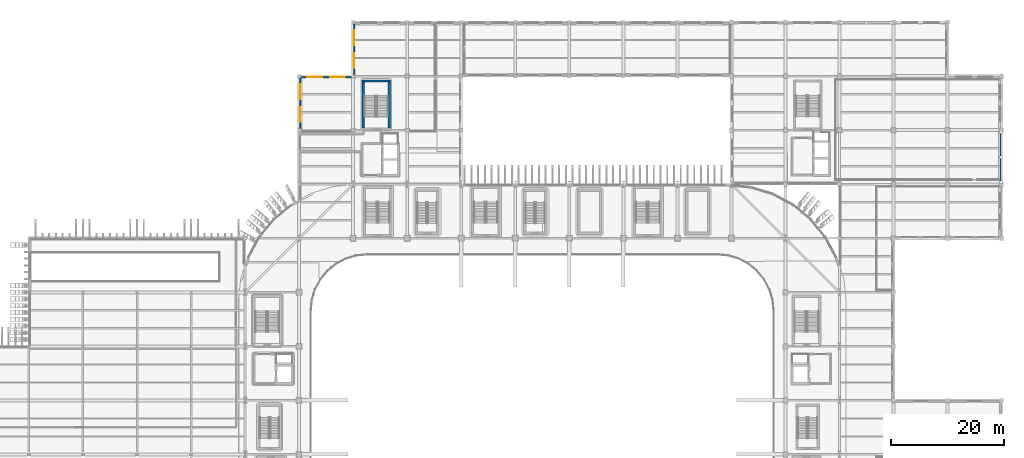
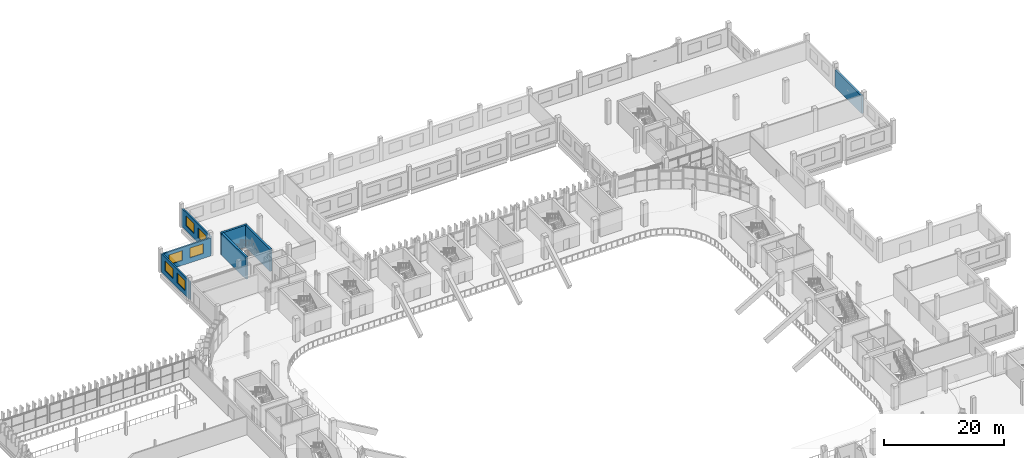
# One storey, part 58 of 100: 7 walls, 6 windows, 6 openings.
"""IFC4 building model written with IfcOpenShell, lengths in metres."""

from ifc_helpers import new_model, si_unit, direction, frame, frame_2d, origin, place, context, subcontext, project, spatial, rectangle, extrude, material, layer, layer_set, type_object, element, fill, save


model = new_model("IFC4")

# Units and contexts
model_context = context("Model", 3, precision=1e-05, world=origin(), true_north=direction((0.0, 1.0)))
body_context = subcontext(model_context, "Body", "Model", "MODEL_VIEW")
ifc_project = project(units=[si_unit("LENGTHUNIT", "METRE"), si_unit("AREAUNIT", "SQUARE_METRE"), si_unit("VOLUMEUNIT", "CUBIC_METRE"), si_unit("PLANEANGLEUNIT", "RADIAN"), si_unit("MASSUNIT", "GRAM", prefix="KILO")], contexts=[model_context])

# Site, building, storey
site_placement = place(None, origin())
site = spatial("IfcSite", under=ifc_project, at=site_placement, CompositionType="ELEMENT")
building_placement = place(site_placement, origin())
building = spatial("IfcBuilding", under=site, at=building_placement, Name="Caelomonte Colonnade Arena", CompositionType="ELEMENT")
storey_placement = place(building_placement, origin())
storey = spatial("IfcBuildingStorey", under=building, at=storey_placement, Name="L00", CompositionType="ELEMENT", Elevation=0.0)

# Wall, openings, windows
ifc_material_1 = material(Name="Precast concrete C40/50", Category="concrete")
ifc_layer_1 = layer(ifc_material_1, 0.2900390625)
ifc_layer_set_1 = layer_set([ifc_layer_1], Name="Precast concrete C40/50")
wall_type_1 = type_object("IfcWallType", Name="ENV-WL-EXT29", PredefinedType="SOLIDWALL", material=ifc_layer_set_1)
wall_1_placement = place(storey_placement, frame((76.97998046875, 144.0, 0.0), z_axis=(0.0, 0.0, 1.0), x_axis=(0.0, -1.0, 0.0)))
wall_1 = element("IfcWall", 1, at=wall_1_placement, inside=storey, type_object=wall_type_1, Name="L00 exterior wall EW-L00-0164", PredefinedType="SOLIDWALL", context=body_context, shape_type="SweptSolid", body=[
    extrude(rectangle(XDim=9.60009765625, YDim=0.2900390625, at=frame_2d((4.800048828125, 0.0))), origin(), (0.0, 0.0, 1.0), 3.699951171875),
])
opening_1_placement = place(wall_1_placement, frame((4.06689453125, 0.0, 1.0), z_axis=(0.0, 0.0, 1.0), x_axis=(-1.0, 0.0, 0.0)))
opening_1 = element("IfcOpeningElement", 2, at=opening_1_placement, cuts=wall_1, Name="Opening WN-10", PredefinedType="OPENING", context=body_context, shape_type="SweptSolid", body=[
    extrude(rectangle(XDim=2.60009765625, YDim=2.0, at=frame_2d((1.300048828125, 1.0))), frame((0.0, 0.155029296875, 0.0), z_axis=(0.0, -1.0, 0.0), x_axis=(1.0, 0.0, 0.0)), (0.0, 0.0, 1.0), 0.31005859375),
])
opening_2_placement = place(wall_1_placement, frame((8.13330078125, 0.0, 1.0), z_axis=(0.0, 0.0, 1.0), x_axis=(-1.0, 0.0, 0.0)))
opening_2 = element("IfcOpeningElement", 3, at=opening_2_placement, cuts=wall_1, Name="Opening WN-10", PredefinedType="OPENING", context=body_context, shape_type="SweptSolid", body=[
    extrude(rectangle(XDim=2.60009765625, YDim=2.0, at=frame_2d((1.300048828125, 1.0))), frame((0.0, 0.155029296875, 0.0), z_axis=(0.0, -1.0, 0.0), x_axis=(1.0, 0.0, 0.0)), (0.0, 0.0, 1.0), 0.31005859375),
])
ifc_material_2 = material(Name="Solar-control bronze low-E double glazing", Category="glass")
window_type = type_object("IfcWindowType", Name="ENV-WN-V4G", PartitioningType="TRIPLE_PANEL_VERTICAL", PredefinedType="WINDOW", material=ifc_material_2)
window_1_placement = place(opening_1_placement, origin())
window_1 = element("IfcWindow", 4, at=window_1_placement, inside=storey, type_object=window_type, Name="L00 facade window 47", OverallHeight=2.0, OverallWidth=2.60009765625, PartitioningType="SINGLE_PANEL", PredefinedType="WINDOW", context=body_context, shape_type="SweptSolid", body=[
    extrude(rectangle(XDim=2.60009765625, YDim=2.0, at=frame_2d((1.300048828125, 1.0))), frame((0.0, 0.030029296875, 0.0), z_axis=(0.0, -1.0, 0.0), x_axis=(1.0, 0.0, 0.0)), (0.0, 0.0, 1.0), 0.06005859375),
])
fill(opening_1, window_1)
window_2_placement = place(opening_2_placement, origin())
window_2 = element("IfcWindow", 5, at=window_2_placement, inside=storey, type_object=window_type, Name="L00 facade window 48", OverallHeight=2.0, OverallWidth=2.60009765625, PartitioningType="SINGLE_PANEL", PredefinedType="WINDOW", context=body_context, shape_type="SweptSolid", body=[
    extrude(rectangle(XDim=2.60009765625, YDim=2.0, at=frame_2d((1.300048828125, 1.0))), frame((0.0, 0.030029296875, 0.0), z_axis=(0.0, -1.0, 0.0), x_axis=(1.0, 0.0, 0.0)), (0.0, 0.0, 1.0), 0.06005859375),
])
fill(opening_2, window_2)

wall_2_placement = place(storey_placement, frame((76.800048828125, 134.219970703125, 0.0), z_axis=(0.0, 0.0, 1.0), x_axis=(-1.0, 0.0, 0.0)))
wall_2 = element("IfcWall", 6, at=wall_2_placement, inside=storey, type_object=wall_type_1, Name="L00 exterior wall EW-L00-0165", PredefinedType="SOLIDWALL", context=body_context, shape_type="SweptSolid", body=[
    extrude(rectangle(XDim=9.60009765625, YDim=0.2900390625, at=frame_2d((4.800048828125, 0.0))), origin(), (0.0, 0.0, 1.0), 3.664306640625),
])
opening_3_placement = place(wall_2_placement, frame((4.06689453125, 0.0, 1.0), z_axis=(0.0, 0.0, 1.0), x_axis=(-1.0, 0.0, 0.0)))
opening_3 = element("IfcOpeningElement", 7, at=opening_3_placement, cuts=wall_2, Name="Opening WN-10", PredefinedType="OPENING", context=body_context, shape_type="SweptSolid", body=[
    extrude(rectangle(XDim=2.60009765625, YDim=2.0, at=frame_2d((1.300048828125, 1.0))), frame((0.0, 0.155029296875, 0.0), z_axis=(0.0, -1.0, 0.0), x_axis=(1.0, 0.0, 0.0)), (0.0, 0.0, 1.0), 0.31005859375),
])
opening_4_placement = place(wall_2_placement, frame((8.13330078125, 0.0, 1.0), z_axis=(0.0, 0.0, 1.0), x_axis=(-1.0, 0.0, 0.0)))
opening_4 = element("IfcOpeningElement", 8, at=opening_4_placement, cuts=wall_2, Name="Opening WN-10", PredefinedType="OPENING", context=body_context, shape_type="SweptSolid", body=[
    extrude(rectangle(XDim=2.60009765625, YDim=2.0, at=frame_2d((1.300048828125, 1.0))), frame((0.0, 0.155029296875, 0.0), z_axis=(0.0, -1.0, 0.0), x_axis=(1.0, 0.0, 0.0)), (0.0, 0.0, 1.0), 0.31005859375),
])
window_3_placement = place(opening_3_placement, origin())
window_3 = element("IfcWindow", 9, at=window_3_placement, inside=storey, type_object=window_type, Name="L00 facade window 49", OverallHeight=2.0, OverallWidth=2.60009765625, PartitioningType="SINGLE_PANEL", PredefinedType="WINDOW", context=body_context, shape_type="SweptSolid", body=[
    extrude(rectangle(XDim=2.60009765625, YDim=2.0, at=frame_2d((1.300048828125, 1.0))), frame((0.0, 0.030029296875, 0.0), z_axis=(0.0, -1.0, 0.0), x_axis=(1.0, 0.0, 0.0)), (0.0, 0.0, 1.0), 0.06005859375),
])
fill(opening_3, window_3)
window_4_placement = place(opening_4_placement, origin())
window_4 = element("IfcWindow", 10, at=window_4_placement, inside=storey, type_object=window_type, Name="L00 facade window 50", OverallHeight=2.0, OverallWidth=2.60009765625, PartitioningType="SINGLE_PANEL", PredefinedType="WINDOW", context=body_context, shape_type="SweptSolid", body=[
    extrude(rectangle(XDim=2.60009765625, YDim=2.0, at=frame_2d((1.300048828125, 1.0))), frame((0.0, 0.030029296875, 0.0), z_axis=(0.0, -1.0, 0.0), x_axis=(1.0, 0.0, 0.0)), (0.0, 0.0, 1.0), 0.06005859375),
])
fill(opening_4, window_4)

wall_3_placement = place(storey_placement, frame((67.3798828125, 134.39990234375, 0.0), z_axis=(0.0, 0.0, 1.0), x_axis=(0.0, -1.0, 0.0)))
wall_3 = element("IfcWall", 11, at=wall_3_placement, inside=storey, type_object=wall_type_1, Name="L00 exterior wall EW-L00-0166", PredefinedType="SOLIDWALL", context=body_context, shape_type="SweptSolid", body=[
    extrude(rectangle(XDim=9.599853515625, YDim=0.2900390625, at=frame_2d((4.7998046875, 0.0))), origin(), (0.0, 0.0, 1.0), 3.699951171875),
])
opening_5_placement = place(wall_3_placement, frame((4.06689453125, 0.0, 1.0), z_axis=(0.0, 0.0, 1.0), x_axis=(-1.0, 0.0, 0.0)))
opening_5 = element("IfcOpeningElement", 12, at=opening_5_placement, cuts=wall_3, Name="Opening WN-10", PredefinedType="OPENING", context=body_context, shape_type="SweptSolid", body=[
    extrude(rectangle(XDim=2.60009765625, YDim=2.0, at=frame_2d((1.300048828125, 1.0))), frame((0.0, 0.155029296875, 0.0), z_axis=(0.0, -1.0, 0.0), x_axis=(1.0, 0.0, 0.0)), (0.0, 0.0, 1.0), 0.31005859375),
])
opening_6_placement = place(wall_3_placement, frame((8.13330078125, 0.0, 1.0), z_axis=(0.0, 0.0, 1.0), x_axis=(-1.0, 0.0, 0.0)))
opening_6 = element("IfcOpeningElement", 13, at=opening_6_placement, cuts=wall_3, Name="Opening WN-10", PredefinedType="OPENING", context=body_context, shape_type="SweptSolid", body=[
    extrude(rectangle(XDim=2.60009765625, YDim=2.0, at=frame_2d((1.300048828125, 1.0))), frame((0.0, 0.155029296875, 0.0), z_axis=(0.0, -1.0, 0.0), x_axis=(1.0, 0.0, 0.0)), (0.0, 0.0, 1.0), 0.31005859375),
])
window_5_placement = place(opening_5_placement, origin())
window_5 = element("IfcWindow", 14, at=window_5_placement, inside=storey, type_object=window_type, Name="L00 facade window 51", OverallHeight=2.0, OverallWidth=2.60009765625, PartitioningType="SINGLE_PANEL", PredefinedType="WINDOW", context=body_context, shape_type="SweptSolid", body=[
    extrude(rectangle(XDim=2.60009765625, YDim=2.0, at=frame_2d((1.300048828125, 1.0))), frame((0.0, 0.030029296875, 0.0), z_axis=(0.0, -1.0, 0.0), x_axis=(1.0, 0.0, 0.0)), (0.0, 0.0, 1.0), 0.06005859375),
])
fill(opening_5, window_5)
window_6_placement = place(opening_6_placement, origin())
window_6 = element("IfcWindow", 15, at=window_6_placement, inside=storey, type_object=window_type, Name="L00 facade window 52", OverallHeight=2.0, OverallWidth=2.60009765625, PartitioningType="SINGLE_PANEL", PredefinedType="WINDOW", context=body_context, shape_type="SweptSolid", body=[
    extrude(rectangle(XDim=2.60009765625, YDim=2.0, at=frame_2d((1.300048828125, 1.0))), frame((0.0, 0.030029296875, 0.0), z_axis=(0.0, -1.0, 0.0), x_axis=(1.0, 0.0, 0.0)), (0.0, 0.0, 1.0), 0.06005859375),
])
fill(opening_6, window_6)

# Walls
ifc_layer_2 = layer(ifc_material_1, 0.330078125)
ifc_layer_set_2 = layer_set([ifc_layer_2], Name="Precast concrete C40/50")
wall_type_2 = type_object("IfcWallType", Name="ENV-WL-EXT33", PredefinedType="SOLIDWALL", material=ifc_layer_set_2)
wall_4_placement = place(storey_placement, frame((191.89990234375, 115.554931640625, 0.0), z_axis=(0.0, 0.0, 1.0), x_axis=(0.0, 1.0, 0.0)))
element("IfcWall", 16, at=wall_4_placement, inside=storey, type_object=wall_type_2, Name="L00 exterior wall EW-L00-0149", PredefinedType="SOLIDWALL", context=body_context, shape_type="SweptSolid", body=[
    extrude(rectangle(XDim=8.89013671875, YDim=0.330078125, at=frame_2d((4.445068359375, 0.0))), origin(), (0.0, 0.0, 1.0), 3.572998046875),
])
ifc_material_3 = material(Name="Concrete C50/60", Category="concrete")
ifc_layer_3 = layer(ifc_material_3, 0.39990234375)
ifc_layer_set_3 = layer_set([ifc_layer_3], Name="Concrete C50/60")
wall_type_3 = type_object("IfcWallType", Name="INT-WL-SH40", PredefinedType="SHEAR", material=ifc_layer_set_3)
wall_5_placement = place(storey_placement, frame((83.39990234375, 133.550048828125, 0.0), z_axis=(0.0, 0.0, 1.0), x_axis=(-1.0, 0.0, 0.0)))
element("IfcWall", 17, at=wall_5_placement, inside=storey, type_object=wall_type_3, Name="CW-C7-ST L00 north enclosure wall", PredefinedType="SHEAR", context=body_context, shape_type="SweptSolid", body=[
    extrude(rectangle(XDim=5.0, YDim=0.39990234375, at=frame_2d((2.5, 0.0))), origin(), (0.0, 0.0, 1.0), 4.5),
])
for number, where, z_axis, x_axis, name in (
    (18, (78.60009765625, 133.35009765625, 0.0), (0.0, 0.0, 1.0), (0.0, -1.0, 0.0), "CW-C7-ST L00 west enclosure wall"),
    (19, (83.199951171875, 125.199951171875, 0.0), (0.0, 0.0, 1.0), (0.0, 1.0, 0.0), "CW-C7-ST L00 east enclosure wall"),
):
    element("IfcWall", number, at=place(storey_placement, frame(where, z_axis=z_axis, x_axis=x_axis)), inside=storey, type_object=wall_type_3, Name=name, PredefinedType="SHEAR", context=body_context, shape_type="SweptSolid", body=[
        extrude(rectangle(XDim=8.150146484375, YDim=0.39990234375, at=frame_2d((4.0751953125, 0.0))), origin(), (0.0, 0.0, 1.0), 4.5),
    ])

save(model, "model.ifc")
